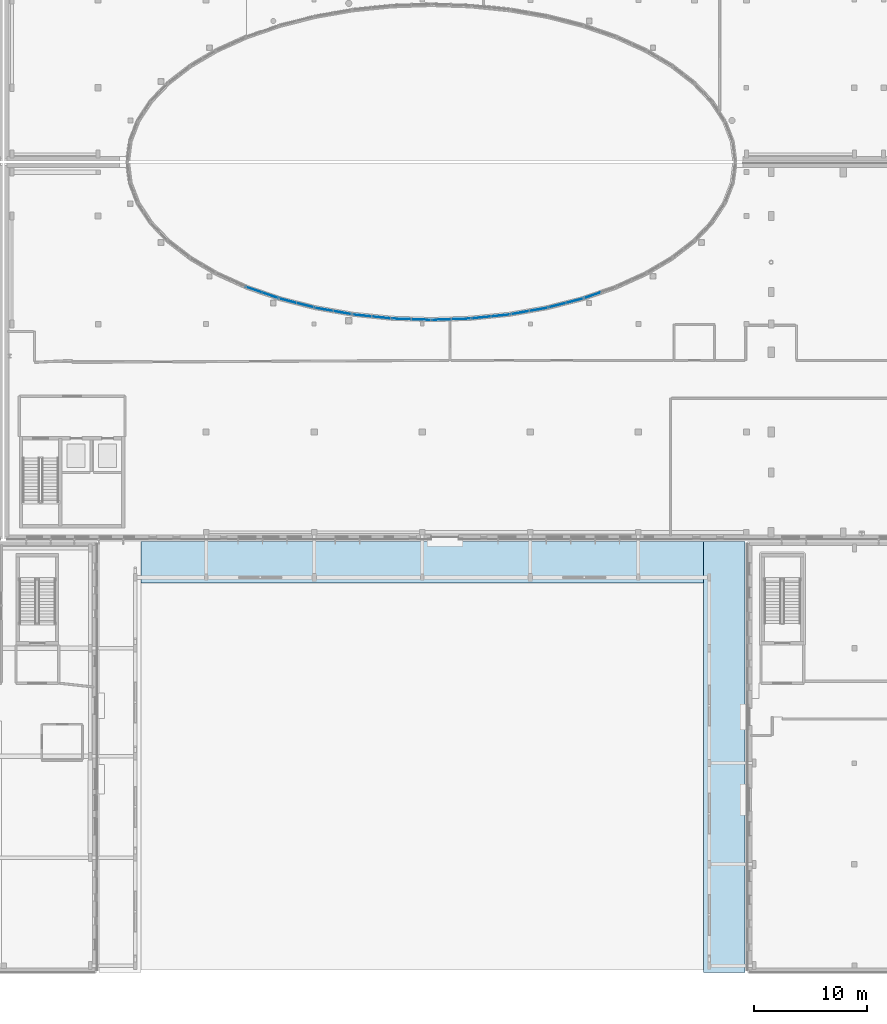
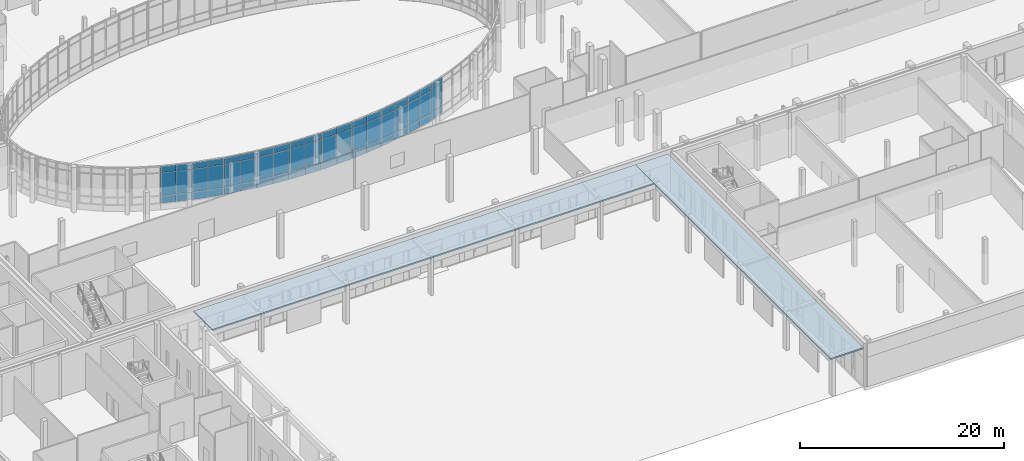
# One storey, part 29 of 84: 57 plates, 2 slabs, 10 elements without a shape of their own.
"""IFC4 building model written with IfcOpenShell, lengths in metres."""

from ifc_helpers import new_model, si_unit, direction, frame, origin, origin_2d, place, context, subcontext, project, spatial, polyline, rectangle, outline, extrude, material, layer, layer_set, type_object, element, aggregate, save


model = new_model("IFC4")

# Units and contexts
model_context = context("Model", 3, precision=1e-05, world=origin(), true_north=direction((0.0, 1.0)))
body_context = subcontext(model_context, "Body", "Model", "MODEL_VIEW")
ifc_project = project(units=[si_unit("LENGTHUNIT", "METRE"), si_unit("AREAUNIT", "SQUARE_METRE"), si_unit("VOLUMEUNIT", "CUBIC_METRE"), si_unit("PLANEANGLEUNIT", "RADIAN"), si_unit("MASSUNIT", "GRAM", prefix="KILO")], contexts=[model_context])

# Site, building, storey
site_placement = place(None, origin())
site = spatial("IfcSite", under=ifc_project, at=site_placement, CompositionType="ELEMENT")
building_placement = place(site_placement, origin())
building = spatial("IfcBuilding", under=site, at=building_placement, Name="Mzevani Central Library", CompositionType="ELEMENT")
storey_placement = place(building_placement, origin())
storey = spatial("IfcBuildingStorey", under=building, at=storey_placement, Name="L00", CompositionType="ELEMENT", Elevation=0.0)

# Curtain wall, plates
ifc_material_1 = material(Name="Thermally broken aluminium and Low-E triple glazing", Category="aluminium")
curtain_wall_type_1 = type_object("IfcCurtainWallType", Name="Elliptical Court Unitised Curtain Wall", PredefinedType="NOTDEFINED", material=ifc_material_1)
curtain_wall_1_placement = place(storey_placement, origin())
curtain_wall_1 = element("IfcCurtainWall", 1, at=curtain_wall_1_placement, inside=storey, type_object=curtain_wall_type_1, Name="L00 Elliptical Court Curtain Wall 32", PredefinedType="NOTDEFINED")
ifc_material_2 = material(Name="Thermally broken aluminium AW-6060", Category="aluminium")
ifc_layer_1 = layer(ifc_material_2, 0.0419921875, Name="CW Insulated Spandrel Panel 42")
ifc_layer_set_1 = layer_set([ifc_layer_1], Name="Thermally broken aluminium AW-6060")
plate_type_1 = type_object("IfcPlateType", Name="CW Insulated Spandrel Panel 42", PredefinedType="CURTAIN_PANEL", material=ifc_layer_set_1)
plate_1_placement = place(storey_placement, frame((68.23974609375, 64.65673828125, 0.719970703125), z_axis=(0.0, 0.0, 1.0), x_axis=(0.945503232512, -0.325612710609, 0.0)))
plate_1 = element("IfcPlate", 2, at=plate_1_placement, type_object=plate_type_1, Name="L00 Elliptical Court Curtain Wall 32 Spandrel Panel 1", PredefinedType="CURTAIN_PANEL", context=body_context, shape_type="SweptSolid", body=[
    extrude(rectangle(XDim=1.54150390625, YDim=0.0419921875, at=origin_2d()), origin(), (0.0, 0.0, 1.0), 0.89990234375),
])
plate_2_placement = place(storey_placement, frame((69.697021484375, 64.15478515625, 0.719970703125), z_axis=(0.0, 0.0, 1.0), x_axis=(0.945503232512, -0.325612710609, 0.0)))
plate_2 = element("IfcPlate", 3, at=plate_2_placement, type_object=plate_type_1, Name="L00 Elliptical Court Curtain Wall 32 Spandrel Panel 4", PredefinedType="CURTAIN_PANEL", context=body_context, shape_type="SweptSolid", body=[
    extrude(rectangle(XDim=1.54150390625, YDim=0.0419921875, at=origin_2d()), origin(), (0.0, 0.0, 1.0), 0.89990234375),
])

curtain_wall_2_placement = place(storey_placement, origin())
curtain_wall_2 = element("IfcCurtainWall", 4, at=curtain_wall_2_placement, inside=storey, type_object=curtain_wall_type_1, Name="L00 Elliptical Court Curtain Wall 33", PredefinedType="NOTDEFINED")
plate_3_placement = place(storey_placement, frame((71.23388671875, 63.679443359375, 0.719970703125), z_axis=(0.0, 0.0, 1.0), x_axis=(0.969186643336, -0.246327526638, 0.0)))
plate_3 = element("IfcPlate", 5, at=plate_3_placement, type_object=plate_type_1, Name="L00 Elliptical Court Curtain Wall 33 Spandrel Panel 1", PredefinedType="CURTAIN_PANEL", context=body_context, shape_type="SweptSolid", body=[
    extrude(rectangle(XDim=1.6220703125, YDim=0.0419921875, at=origin_2d()), origin(), (0.0, 0.0, 1.0), 0.89990234375),
])
plate_4_placement = place(storey_placement, frame((72.805908203125, 63.27978515625, 0.719970703125), z_axis=(0.0, 0.0, 1.0), x_axis=(0.969186643336, -0.246327526638, 0.0)))
plate_4 = element("IfcPlate", 6, at=plate_4_placement, type_object=plate_type_1, Name="L00 Elliptical Court Curtain Wall 33 Spandrel Panel 4", PredefinedType="CURTAIN_PANEL", context=body_context, shape_type="SweptSolid", body=[
    extrude(rectangle(XDim=1.6220703125, YDim=0.0419921875, at=origin_2d()), origin(), (0.0, 0.0, 1.0), 0.89990234375),
])

curtain_wall_type_2 = type_object("IfcCurtainWallType", Name="Reading Hall Northlight Curtain Wall", PredefinedType="NOTDEFINED", material=ifc_material_1)
curtain_wall_3_placement = place(storey_placement, origin())
curtain_wall_3 = element("IfcCurtainWall", 7, at=curtain_wall_3_placement, inside=storey, type_object=curtain_wall_type_2, Name="L00 Elliptical Court Curtain Wall 34", PredefinedType="NOTDEFINED")
plate_5_placement = place(storey_placement, frame((74.452880859375, 62.91015625, 0.719970703125), z_axis=(0.0, 0.0, 1.0), x_axis=(0.985036019044, -0.172348603667, 0.0)))
plate_5 = element("IfcPlate", 8, at=plate_5_placement, type_object=plate_type_1, Name="L00 Elliptical Court Curtain Wall 34 Spandrel Panel 1", PredefinedType="CURTAIN_PANEL", context=body_context, shape_type="SweptSolid", body=[
    extrude(rectangle(XDim=1.68505859375, YDim=0.0419921875, at=origin_2d()), origin(), (0.0, 0.0, 1.0), 0.89990234375),
])
plate_6_placement = place(storey_placement, frame((76.11279296875, 62.619873046875, 0.719970703125), z_axis=(0.0, 0.0, 1.0), x_axis=(0.985036019044, -0.172348603667, 0.0)))
plate_6 = element("IfcPlate", 9, at=plate_6_placement, type_object=plate_type_1, Name="L00 Elliptical Court Curtain Wall 34 Spandrel Panel 4", PredefinedType="CURTAIN_PANEL", context=body_context, shape_type="SweptSolid", body=[
    extrude(rectangle(XDim=1.68505859375, YDim=0.0419921875, at=origin_2d()), origin(), (0.0, 0.0, 1.0), 0.89990234375),
])

curtain_wall_4_placement = place(storey_placement, origin())
curtain_wall_4 = element("IfcCurtainWall", 10, at=curtain_wall_4_placement, inside=storey, type_object=curtain_wall_type_1, Name="L00 Elliptical Court Curtain Wall 35", PredefinedType="NOTDEFINED")
plate_7_placement = place(storey_placement, frame((77.843994140625, 62.364990234375, 0.719970703125), z_axis=(0.0, 0.0, 1.0), x_axis=(0.994785735696, -0.101986960228, 0.0)))
plate_7 = element("IfcPlate", 11, at=plate_7_placement, type_object=plate_type_1, Name="L00 Elliptical Court Curtain Wall 35 Spandrel Panel 1", PredefinedType="CURTAIN_PANEL", context=body_context, shape_type="SweptSolid", body=[
    extrude(rectangle(XDim=1.728271484375, YDim=0.0419921875, at=origin_2d()), origin(), (0.0, 0.0, 1.0), 0.89990234375),
])
plate_8_placement = place(storey_placement, frame((79.563232421875, 62.188720703125, 0.719970703125), z_axis=(0.0, 0.0, 1.0), x_axis=(0.994785735696, -0.101986960228, 0.0)))
plate_8 = element("IfcPlate", 12, at=plate_8_placement, type_object=plate_type_1, Name="L00 Elliptical Court Curtain Wall 35 Spandrel Panel 4", PredefinedType="CURTAIN_PANEL", context=body_context, shape_type="SweptSolid", body=[
    extrude(rectangle(XDim=1.728271484375, YDim=0.0419921875, at=origin_2d()), origin(), (0.0, 0.0, 1.0), 0.89990234375),
])

curtain_wall_5_placement = place(storey_placement, origin())
curtain_wall_5 = element("IfcCurtainWall", 13, at=curtain_wall_5_placement, inside=storey, type_object=curtain_wall_type_1, Name="L00 Elliptical Court Curtain Wall 36", PredefinedType="NOTDEFINED")
plate_9_placement = place(storey_placement, frame((81.3486328125, 62.05810546875, 0.719970703125), z_axis=(0.0, 0.0, 1.0), x_axis=(0.999429599311, -0.03377093456, 0.0)))
plate_9 = element("IfcPlate", 14, at=plate_9_placement, type_object=plate_type_1, Name="L00 Elliptical Court Curtain Wall 36 Spandrel Panel 1", PredefinedType="CURTAIN_PANEL", context=body_context, shape_type="SweptSolid", body=[
    extrude(rectangle(XDim=1.75, YDim=0.0419921875, at=origin_2d()), origin(), (0.0, 0.0, 1.0), 0.89990234375),
])
plate_10_placement = place(storey_placement, frame((83.09765625, 61.9990234375, 0.719970703125), z_axis=(0.0, 0.0, 1.0), x_axis=(0.999429599311, -0.03377093456, 0.0)))
plate_10 = element("IfcPlate", 15, at=plate_10_placement, type_object=plate_type_1, Name="L00 Elliptical Court Curtain Wall 36 Spandrel Panel 4", PredefinedType="CURTAIN_PANEL", context=body_context, shape_type="SweptSolid", body=[
    extrude(rectangle(XDim=1.75, YDim=0.0419921875, at=origin_2d()), origin(), (0.0, 0.0, 1.0), 0.89990234375),
])

curtain_wall_6_placement = place(storey_placement, origin())
curtain_wall_6 = element("IfcCurtainWall", 16, at=curtain_wall_6_placement, inside=storey, type_object=curtain_wall_type_2, Name="L00 Elliptical Court Curtain Wall 37", PredefinedType="NOTDEFINED")
plate_11_placement = place(storey_placement, frame((84.90234375, 61.9990234375, 0.719970703125), z_axis=(0.0, 0.0, 1.0), x_axis=(0.999429599311, 0.03377093456, 0.0)))
plate_11 = element("IfcPlate", 17, at=plate_11_placement, type_object=plate_type_1, Name="L00 Elliptical Court Curtain Wall 37 Spandrel Panel 1", PredefinedType="CURTAIN_PANEL", context=body_context, shape_type="SweptSolid", body=[
    extrude(rectangle(XDim=1.75, YDim=0.0419921875, at=origin_2d()), origin(), (0.0, 0.0, 1.0), 0.89990234375),
])
plate_12_placement = place(storey_placement, frame((86.6513671875, 62.05810546875, 0.719970703125), z_axis=(0.0, 0.0, 1.0), x_axis=(0.999429599311, 0.03377093456, 0.0)))
plate_12 = element("IfcPlate", 18, at=plate_12_placement, type_object=plate_type_1, Name="L00 Elliptical Court Curtain Wall 37 Spandrel Panel 4", PredefinedType="CURTAIN_PANEL", context=body_context, shape_type="SweptSolid", body=[
    extrude(rectangle(XDim=1.75, YDim=0.0419921875, at=origin_2d()), origin(), (0.0, 0.0, 1.0), 0.89990234375),
])

curtain_wall_7_placement = place(storey_placement, origin())
curtain_wall_7 = element("IfcCurtainWall", 19, at=curtain_wall_7_placement, inside=storey, type_object=curtain_wall_type_1, Name="L00 Elliptical Court Curtain Wall 38", PredefinedType="NOTDEFINED")
plate_13_placement = place(storey_placement, frame((88.436767578125, 62.188720703125, 0.719970703125), z_axis=(0.0, 0.0, 1.0), x_axis=(0.994785735696, 0.101986960228, 0.0)))
plate_13 = element("IfcPlate", 20, at=plate_13_placement, type_object=plate_type_1, Name="L00 Elliptical Court Curtain Wall 38 Spandrel Panel 1", PredefinedType="CURTAIN_PANEL", context=body_context, shape_type="SweptSolid", body=[
    extrude(rectangle(XDim=1.728271484375, YDim=0.0419921875, at=origin_2d()), origin(), (0.0, 0.0, 1.0), 0.89990234375),
])
plate_14_placement = place(storey_placement, frame((90.156005859375, 62.364990234375, 0.719970703125), z_axis=(0.0, 0.0, 1.0), x_axis=(0.994785735696, 0.101986960228, 0.0)))
plate_14 = element("IfcPlate", 21, at=plate_14_placement, type_object=plate_type_1, Name="L00 Elliptical Court Curtain Wall 38 Spandrel Panel 4", PredefinedType="CURTAIN_PANEL", context=body_context, shape_type="SweptSolid", body=[
    extrude(rectangle(XDim=1.728271484375, YDim=0.0419921875, at=origin_2d()), origin(), (0.0, 0.0, 1.0), 0.89990234375),
])

curtain_wall_8_placement = place(storey_placement, origin())
curtain_wall_8 = element("IfcCurtainWall", 22, at=curtain_wall_8_placement, inside=storey, type_object=curtain_wall_type_1, Name="L00 Elliptical Court Curtain Wall 39", PredefinedType="NOTDEFINED")
plate_15_placement = place(storey_placement, frame((91.88720703125, 62.619873046875, 0.719970703125), z_axis=(0.0, 0.0, 1.0), x_axis=(0.985036019044, 0.172348603667, 0.0)))
plate_15 = element("IfcPlate", 23, at=plate_15_placement, type_object=plate_type_1, Name="L00 Elliptical Court Curtain Wall 39 Spandrel Panel 1", PredefinedType="CURTAIN_PANEL", context=body_context, shape_type="SweptSolid", body=[
    extrude(rectangle(XDim=1.68505859375, YDim=0.0419921875, at=origin_2d()), origin(), (0.0, 0.0, 1.0), 0.89990234375),
])
plate_16_placement = place(storey_placement, frame((93.547119140625, 62.91015625, 0.719970703125), z_axis=(0.0, 0.0, 1.0), x_axis=(0.985036019044, 0.172348603667, 0.0)))
plate_16 = element("IfcPlate", 24, at=plate_16_placement, type_object=plate_type_1, Name="L00 Elliptical Court Curtain Wall 39 Spandrel Panel 4", PredefinedType="CURTAIN_PANEL", context=body_context, shape_type="SweptSolid", body=[
    extrude(rectangle(XDim=1.68505859375, YDim=0.0419921875, at=origin_2d()), origin(), (0.0, 0.0, 1.0), 0.89990234375),
])

curtain_wall_9_placement = place(storey_placement, origin())
curtain_wall_9 = element("IfcCurtainWall", 25, at=curtain_wall_9_placement, inside=storey, type_object=curtain_wall_type_2, Name="L00 Elliptical Court Curtain Wall 40", PredefinedType="NOTDEFINED")
plate_17_placement = place(storey_placement, frame((95.194091796875, 63.27978515625, 0.719970703125), z_axis=(0.0, 0.0, 1.0), x_axis=(0.969186643336, 0.246327526638, 0.0)))
plate_17 = element("IfcPlate", 26, at=plate_17_placement, type_object=plate_type_1, Name="L00 Elliptical Court Curtain Wall 40 Spandrel Panel 1", PredefinedType="CURTAIN_PANEL", context=body_context, shape_type="SweptSolid", body=[
    extrude(rectangle(XDim=1.6220703125, YDim=0.0419921875, at=origin_2d()), origin(), (0.0, 0.0, 1.0), 0.89990234375),
])
plate_18_placement = place(storey_placement, frame((96.76611328125, 63.679443359375, 0.719970703125), z_axis=(0.0, 0.0, 1.0), x_axis=(0.969186643336, 0.246327526638, 0.0)))
plate_18 = element("IfcPlate", 27, at=plate_18_placement, type_object=plate_type_1, Name="L00 Elliptical Court Curtain Wall 40 Spandrel Panel 4", PredefinedType="CURTAIN_PANEL", context=body_context, shape_type="SweptSolid", body=[
    extrude(rectangle(XDim=1.6220703125, YDim=0.0419921875, at=origin_2d()), origin(), (0.0, 0.0, 1.0), 0.89990234375),
])

# Curtain wall, plate
curtain_wall_10_placement = place(storey_placement, origin())
curtain_wall_10 = element("IfcCurtainWall", 28, at=curtain_wall_10_placement, inside=storey, type_object=curtain_wall_type_1, Name="L00 Elliptical Court Curtain Wall 41", PredefinedType="NOTDEFINED")
plate_19_placement = place(storey_placement, frame((98.302978515625, 64.15478515625, 0.719970703125), z_axis=(0.0, 0.0, 1.0), x_axis=(0.945503232512, 0.325612710609, 0.0)))
plate_19 = element("IfcPlate", 29, at=plate_19_placement, type_object=plate_type_1, Name="L00 Elliptical Court Curtain Wall 41 Spandrel Panel 1", PredefinedType="CURTAIN_PANEL", context=body_context, shape_type="SweptSolid", body=[
    extrude(rectangle(XDim=1.54150390625, YDim=0.0419921875, at=origin_2d()), origin(), (0.0, 0.0, 1.0), 0.89990234375),
])

# Plate
ifc_material_3 = material(Name="Low-E triple glazing glass", Category="glass")
ifc_layer_2 = layer(ifc_material_3, 0.028076171875, Name="CW Triple Glazed Vision Panel 28")
ifc_layer_set_2 = layer_set([ifc_layer_2], Name="Low-E triple glazing glass")
plate_type_2 = type_object("IfcPlateType", Name="CW Triple Glazed Vision Panel 28", PredefinedType="CURTAIN_PANEL", material=ifc_layer_set_2)
plate_20_placement = place(storey_placement, frame((68.23974609375, 64.65673828125, 1.6201171875), z_axis=(0.0, 0.0, 1.0), x_axis=(0.945503232512, -0.325612710609, 0.0)))
plate_20 = element("IfcPlate", 30, at=plate_20_placement, type_object=plate_type_2, Name="L00 Elliptical Court Curtain Wall 32 Vision Panel 2", PredefinedType="CURTAIN_PANEL", context=body_context, shape_type="SweptSolid", body=[
    extrude(rectangle(XDim=1.54150390625, YDim=0.028076171875, at=origin_2d()), origin(), (0.0, 0.0, 1.0), 2.75),
])

plate_21_placement = place(storey_placement, frame((68.23974609375, 64.65673828125, 4.3701171875), z_axis=(0.0, 0.0, 1.0), x_axis=(0.945503232512, -0.325612710609, 0.0)))
plate_21 = element("IfcPlate", 31, at=plate_21_placement, type_object=plate_type_2, Name="L00 Elliptical Court Curtain Wall 32 Vision Panel 3", PredefinedType="CURTAIN_PANEL", context=body_context, shape_type="SweptSolid", body=[
    extrude(rectangle(XDim=1.54150390625, YDim=0.028076171875, at=origin_2d()), origin(), (0.0, 0.0, 1.0), 0.75),
])

plate_22_placement = place(storey_placement, frame((69.697021484375, 64.15478515625, 1.6201171875), z_axis=(0.0, 0.0, 1.0), x_axis=(0.945503232512, -0.325612710609, 0.0)))
plate_22 = element("IfcPlate", 32, at=plate_22_placement, type_object=plate_type_2, Name="L00 Elliptical Court Curtain Wall 32 Vision Panel 5", PredefinedType="CURTAIN_PANEL", context=body_context, shape_type="SweptSolid", body=[
    extrude(rectangle(XDim=1.54150390625, YDim=0.028076171875, at=origin_2d()), origin(), (0.0, 0.0, 1.0), 2.75),
])

plate_23_placement = place(storey_placement, frame((69.697021484375, 64.15478515625, 4.3701171875), z_axis=(0.0, 0.0, 1.0), x_axis=(0.945503232512, -0.325612710609, 0.0)))
plate_23 = element("IfcPlate", 33, at=plate_23_placement, type_object=plate_type_2, Name="L00 Elliptical Court Curtain Wall 32 Vision Panel 6", PredefinedType="CURTAIN_PANEL", context=body_context, shape_type="SweptSolid", body=[
    extrude(rectangle(XDim=1.54150390625, YDim=0.028076171875, at=origin_2d()), origin(), (0.0, 0.0, 1.0), 0.75),
])

aggregate(curtain_wall_1, [plate_1, plate_20, plate_21, plate_2, plate_22, plate_23])

plate_24_placement = place(storey_placement, frame((71.23388671875, 63.679443359375, 1.6201171875), z_axis=(0.0, 0.0, 1.0), x_axis=(0.969186643336, -0.246327526638, 0.0)))
plate_24 = element("IfcPlate", 34, at=plate_24_placement, type_object=plate_type_2, Name="L00 Elliptical Court Curtain Wall 33 Vision Panel 2", PredefinedType="CURTAIN_PANEL", context=body_context, shape_type="SweptSolid", body=[
    extrude(rectangle(XDim=1.6220703125, YDim=0.028076171875, at=origin_2d()), origin(), (0.0, 0.0, 1.0), 2.75),
])

plate_25_placement = place(storey_placement, frame((71.23388671875, 63.679443359375, 4.3701171875), z_axis=(0.0, 0.0, 1.0), x_axis=(0.969186643336, -0.246327526638, 0.0)))
plate_25 = element("IfcPlate", 35, at=plate_25_placement, type_object=plate_type_2, Name="L00 Elliptical Court Curtain Wall 33 Vision Panel 3", PredefinedType="CURTAIN_PANEL", context=body_context, shape_type="SweptSolid", body=[
    extrude(rectangle(XDim=1.6220703125, YDim=0.028076171875, at=origin_2d()), origin(), (0.0, 0.0, 1.0), 0.75),
])

plate_26_placement = place(storey_placement, frame((72.805908203125, 63.27978515625, 1.6201171875), z_axis=(0.0, 0.0, 1.0), x_axis=(0.969186643336, -0.246327526638, 0.0)))
plate_26 = element("IfcPlate", 36, at=plate_26_placement, type_object=plate_type_2, Name="L00 Elliptical Court Curtain Wall 33 Vision Panel 5", PredefinedType="CURTAIN_PANEL", context=body_context, shape_type="SweptSolid", body=[
    extrude(rectangle(XDim=1.6220703125, YDim=0.028076171875, at=origin_2d()), origin(), (0.0, 0.0, 1.0), 2.75),
])

plate_27_placement = place(storey_placement, frame((72.805908203125, 63.27978515625, 4.3701171875), z_axis=(0.0, 0.0, 1.0), x_axis=(0.969186643336, -0.246327526638, 0.0)))
plate_27 = element("IfcPlate", 37, at=plate_27_placement, type_object=plate_type_2, Name="L00 Elliptical Court Curtain Wall 33 Vision Panel 6", PredefinedType="CURTAIN_PANEL", context=body_context, shape_type="SweptSolid", body=[
    extrude(rectangle(XDim=1.6220703125, YDim=0.028076171875, at=origin_2d()), origin(), (0.0, 0.0, 1.0), 0.75),
])

aggregate(curtain_wall_2, [plate_3, plate_24, plate_25, plate_4, plate_26, plate_27])

plate_28_placement = place(storey_placement, frame((74.452880859375, 62.91015625, 1.6201171875), z_axis=(0.0, 0.0, 1.0), x_axis=(0.985036019044, -0.172348603667, 0.0)))
plate_28 = element("IfcPlate", 38, at=plate_28_placement, type_object=plate_type_2, Name="L00 Elliptical Court Curtain Wall 34 Vision Panel 2", PredefinedType="CURTAIN_PANEL", context=body_context, shape_type="SweptSolid", body=[
    extrude(rectangle(XDim=1.68505859375, YDim=0.028076171875, at=origin_2d()), origin(), (0.0, 0.0, 1.0), 2.75),
])

plate_29_placement = place(storey_placement, frame((74.452880859375, 62.91015625, 4.3701171875), z_axis=(0.0, 0.0, 1.0), x_axis=(0.985036019044, -0.172348603667, 0.0)))
plate_29 = element("IfcPlate", 39, at=plate_29_placement, type_object=plate_type_2, Name="L00 Elliptical Court Curtain Wall 34 Vision Panel 3", PredefinedType="CURTAIN_PANEL", context=body_context, shape_type="SweptSolid", body=[
    extrude(rectangle(XDim=1.68505859375, YDim=0.028076171875, at=origin_2d()), origin(), (0.0, 0.0, 1.0), 0.75),
])

plate_30_placement = place(storey_placement, frame((76.11279296875, 62.619873046875, 1.6201171875), z_axis=(0.0, 0.0, 1.0), x_axis=(0.985036019044, -0.172348603667, 0.0)))
plate_30 = element("IfcPlate", 40, at=plate_30_placement, type_object=plate_type_2, Name="L00 Elliptical Court Curtain Wall 34 Vision Panel 5", PredefinedType="CURTAIN_PANEL", context=body_context, shape_type="SweptSolid", body=[
    extrude(rectangle(XDim=1.68505859375, YDim=0.028076171875, at=origin_2d()), origin(), (0.0, 0.0, 1.0), 2.75),
])

plate_31_placement = place(storey_placement, frame((76.11279296875, 62.619873046875, 4.3701171875), z_axis=(0.0, 0.0, 1.0), x_axis=(0.985036019044, -0.172348603667, 0.0)))
plate_31 = element("IfcPlate", 41, at=plate_31_placement, type_object=plate_type_2, Name="L00 Elliptical Court Curtain Wall 34 Vision Panel 6", PredefinedType="CURTAIN_PANEL", context=body_context, shape_type="SweptSolid", body=[
    extrude(rectangle(XDim=1.68505859375, YDim=0.028076171875, at=origin_2d()), origin(), (0.0, 0.0, 1.0), 0.75),
])

aggregate(curtain_wall_3, [plate_5, plate_28, plate_29, plate_6, plate_30, plate_31])

plate_32_placement = place(storey_placement, frame((77.843994140625, 62.364990234375, 1.6201171875), z_axis=(0.0, 0.0, 1.0), x_axis=(0.994785735696, -0.101986960228, 0.0)))
plate_32 = element("IfcPlate", 42, at=plate_32_placement, type_object=plate_type_2, Name="L00 Elliptical Court Curtain Wall 35 Vision Panel 2", PredefinedType="CURTAIN_PANEL", context=body_context, shape_type="SweptSolid", body=[
    extrude(rectangle(XDim=1.728271484375, YDim=0.028076171875, at=origin_2d()), origin(), (0.0, 0.0, 1.0), 2.75),
])

plate_33_placement = place(storey_placement, frame((77.843994140625, 62.364990234375, 4.3701171875), z_axis=(0.0, 0.0, 1.0), x_axis=(0.994785735696, -0.101986960228, 0.0)))
plate_33 = element("IfcPlate", 43, at=plate_33_placement, type_object=plate_type_2, Name="L00 Elliptical Court Curtain Wall 35 Vision Panel 3", PredefinedType="CURTAIN_PANEL", context=body_context, shape_type="SweptSolid", body=[
    extrude(rectangle(XDim=1.728271484375, YDim=0.028076171875, at=origin_2d()), origin(), (0.0, 0.0, 1.0), 0.75),
])

plate_34_placement = place(storey_placement, frame((79.563232421875, 62.188720703125, 1.6201171875), z_axis=(0.0, 0.0, 1.0), x_axis=(0.994785735696, -0.101986960228, 0.0)))
plate_34 = element("IfcPlate", 44, at=plate_34_placement, type_object=plate_type_2, Name="L00 Elliptical Court Curtain Wall 35 Vision Panel 5", PredefinedType="CURTAIN_PANEL", context=body_context, shape_type="SweptSolid", body=[
    extrude(rectangle(XDim=1.728271484375, YDim=0.028076171875, at=origin_2d()), origin(), (0.0, 0.0, 1.0), 2.75),
])

plate_35_placement = place(storey_placement, frame((79.563232421875, 62.188720703125, 4.3701171875), z_axis=(0.0, 0.0, 1.0), x_axis=(0.994785735696, -0.101986960228, 0.0)))
plate_35 = element("IfcPlate", 45, at=plate_35_placement, type_object=plate_type_2, Name="L00 Elliptical Court Curtain Wall 35 Vision Panel 6", PredefinedType="CURTAIN_PANEL", context=body_context, shape_type="SweptSolid", body=[
    extrude(rectangle(XDim=1.728271484375, YDim=0.028076171875, at=origin_2d()), origin(), (0.0, 0.0, 1.0), 0.75),
])

aggregate(curtain_wall_4, [plate_7, plate_32, plate_33, plate_8, plate_34, plate_35])

plate_36_placement = place(storey_placement, frame((81.3486328125, 62.05810546875, 1.6201171875), z_axis=(0.0, 0.0, 1.0), x_axis=(0.999429599311, -0.03377093456, 0.0)))
plate_36 = element("IfcPlate", 46, at=plate_36_placement, type_object=plate_type_2, Name="L00 Elliptical Court Curtain Wall 36 Vision Panel 2", PredefinedType="CURTAIN_PANEL", context=body_context, shape_type="SweptSolid", body=[
    extrude(rectangle(XDim=1.75, YDim=0.028076171875, at=origin_2d()), origin(), (0.0, 0.0, 1.0), 2.75),
])

plate_37_placement = place(storey_placement, frame((81.3486328125, 62.05810546875, 4.3701171875), z_axis=(0.0, 0.0, 1.0), x_axis=(0.999429599311, -0.03377093456, 0.0)))
plate_37 = element("IfcPlate", 47, at=plate_37_placement, type_object=plate_type_2, Name="L00 Elliptical Court Curtain Wall 36 Vision Panel 3", PredefinedType="CURTAIN_PANEL", context=body_context, shape_type="SweptSolid", body=[
    extrude(rectangle(XDim=1.75, YDim=0.028076171875, at=origin_2d()), origin(), (0.0, 0.0, 1.0), 0.75),
])

plate_38_placement = place(storey_placement, frame((83.09765625, 61.9990234375, 1.6201171875), z_axis=(0.0, 0.0, 1.0), x_axis=(0.999429599311, -0.03377093456, 0.0)))
plate_38 = element("IfcPlate", 48, at=plate_38_placement, type_object=plate_type_2, Name="L00 Elliptical Court Curtain Wall 36 Vision Panel 5", PredefinedType="CURTAIN_PANEL", context=body_context, shape_type="SweptSolid", body=[
    extrude(rectangle(XDim=1.75, YDim=0.028076171875, at=origin_2d()), origin(), (0.0, 0.0, 1.0), 2.75),
])

plate_39_placement = place(storey_placement, frame((83.09765625, 61.9990234375, 4.3701171875), z_axis=(0.0, 0.0, 1.0), x_axis=(0.999429599311, -0.03377093456, 0.0)))
plate_39 = element("IfcPlate", 49, at=plate_39_placement, type_object=plate_type_2, Name="L00 Elliptical Court Curtain Wall 36 Vision Panel 6", PredefinedType="CURTAIN_PANEL", context=body_context, shape_type="SweptSolid", body=[
    extrude(rectangle(XDim=1.75, YDim=0.028076171875, at=origin_2d()), origin(), (0.0, 0.0, 1.0), 0.75),
])

aggregate(curtain_wall_5, [plate_9, plate_36, plate_37, plate_10, plate_38, plate_39])

plate_40_placement = place(storey_placement, frame((84.90234375, 61.9990234375, 1.6201171875), z_axis=(0.0, 0.0, 1.0), x_axis=(0.999429599311, 0.03377093456, 0.0)))
plate_40 = element("IfcPlate", 50, at=plate_40_placement, type_object=plate_type_2, Name="L00 Elliptical Court Curtain Wall 37 Vision Panel 2", PredefinedType="CURTAIN_PANEL", context=body_context, shape_type="SweptSolid", body=[
    extrude(rectangle(XDim=1.75, YDim=0.028076171875, at=origin_2d()), origin(), (0.0, 0.0, 1.0), 2.75),
])

plate_41_placement = place(storey_placement, frame((84.90234375, 61.9990234375, 4.3701171875), z_axis=(0.0, 0.0, 1.0), x_axis=(0.999429599311, 0.03377093456, 0.0)))
plate_41 = element("IfcPlate", 51, at=plate_41_placement, type_object=plate_type_2, Name="L00 Elliptical Court Curtain Wall 37 Vision Panel 3", PredefinedType="CURTAIN_PANEL", context=body_context, shape_type="SweptSolid", body=[
    extrude(rectangle(XDim=1.75, YDim=0.028076171875, at=origin_2d()), origin(), (0.0, 0.0, 1.0), 0.75),
])

plate_42_placement = place(storey_placement, frame((86.6513671875, 62.05810546875, 1.6201171875), z_axis=(0.0, 0.0, 1.0), x_axis=(0.999429599311, 0.03377093456, 0.0)))
plate_42 = element("IfcPlate", 52, at=plate_42_placement, type_object=plate_type_2, Name="L00 Elliptical Court Curtain Wall 37 Vision Panel 5", PredefinedType="CURTAIN_PANEL", context=body_context, shape_type="SweptSolid", body=[
    extrude(rectangle(XDim=1.75, YDim=0.028076171875, at=origin_2d()), origin(), (0.0, 0.0, 1.0), 2.75),
])

plate_43_placement = place(storey_placement, frame((86.6513671875, 62.05810546875, 4.3701171875), z_axis=(0.0, 0.0, 1.0), x_axis=(0.999429599311, 0.03377093456, 0.0)))
plate_43 = element("IfcPlate", 53, at=plate_43_placement, type_object=plate_type_2, Name="L00 Elliptical Court Curtain Wall 37 Vision Panel 6", PredefinedType="CURTAIN_PANEL", context=body_context, shape_type="SweptSolid", body=[
    extrude(rectangle(XDim=1.75, YDim=0.028076171875, at=origin_2d()), origin(), (0.0, 0.0, 1.0), 0.75),
])

aggregate(curtain_wall_6, [plate_11, plate_40, plate_41, plate_12, plate_42, plate_43])

plate_44_placement = place(storey_placement, frame((88.436767578125, 62.188720703125, 1.6201171875), z_axis=(0.0, 0.0, 1.0), x_axis=(0.994785735696, 0.101986960228, 0.0)))
plate_44 = element("IfcPlate", 54, at=plate_44_placement, type_object=plate_type_2, Name="L00 Elliptical Court Curtain Wall 38 Vision Panel 2", PredefinedType="CURTAIN_PANEL", context=body_context, shape_type="SweptSolid", body=[
    extrude(rectangle(XDim=1.728271484375, YDim=0.028076171875, at=origin_2d()), origin(), (0.0, 0.0, 1.0), 2.75),
])

plate_45_placement = place(storey_placement, frame((88.436767578125, 62.188720703125, 4.3701171875), z_axis=(0.0, 0.0, 1.0), x_axis=(0.994785735696, 0.101986960228, 0.0)))
plate_45 = element("IfcPlate", 55, at=plate_45_placement, type_object=plate_type_2, Name="L00 Elliptical Court Curtain Wall 38 Vision Panel 3", PredefinedType="CURTAIN_PANEL", context=body_context, shape_type="SweptSolid", body=[
    extrude(rectangle(XDim=1.728271484375, YDim=0.028076171875, at=origin_2d()), origin(), (0.0, 0.0, 1.0), 0.75),
])

plate_46_placement = place(storey_placement, frame((90.156005859375, 62.364990234375, 1.6201171875), z_axis=(0.0, 0.0, 1.0), x_axis=(0.994785735696, 0.101986960228, 0.0)))
plate_46 = element("IfcPlate", 56, at=plate_46_placement, type_object=plate_type_2, Name="L00 Elliptical Court Curtain Wall 38 Vision Panel 5", PredefinedType="CURTAIN_PANEL", context=body_context, shape_type="SweptSolid", body=[
    extrude(rectangle(XDim=1.728271484375, YDim=0.028076171875, at=origin_2d()), origin(), (0.0, 0.0, 1.0), 2.75),
])

plate_47_placement = place(storey_placement, frame((90.156005859375, 62.364990234375, 4.3701171875), z_axis=(0.0, 0.0, 1.0), x_axis=(0.994785735696, 0.101986960228, 0.0)))
plate_47 = element("IfcPlate", 57, at=plate_47_placement, type_object=plate_type_2, Name="L00 Elliptical Court Curtain Wall 38 Vision Panel 6", PredefinedType="CURTAIN_PANEL", context=body_context, shape_type="SweptSolid", body=[
    extrude(rectangle(XDim=1.728271484375, YDim=0.028076171875, at=origin_2d()), origin(), (0.0, 0.0, 1.0), 0.75),
])

aggregate(curtain_wall_7, [plate_13, plate_44, plate_45, plate_14, plate_46, plate_47])

plate_48_placement = place(storey_placement, frame((91.88720703125, 62.619873046875, 1.6201171875), z_axis=(0.0, 0.0, 1.0), x_axis=(0.985036019044, 0.172348603667, 0.0)))
plate_48 = element("IfcPlate", 58, at=plate_48_placement, type_object=plate_type_2, Name="L00 Elliptical Court Curtain Wall 39 Vision Panel 2", PredefinedType="CURTAIN_PANEL", context=body_context, shape_type="SweptSolid", body=[
    extrude(rectangle(XDim=1.68505859375, YDim=0.028076171875, at=origin_2d()), origin(), (0.0, 0.0, 1.0), 2.75),
])

plate_49_placement = place(storey_placement, frame((91.88720703125, 62.619873046875, 4.3701171875), z_axis=(0.0, 0.0, 1.0), x_axis=(0.985036019044, 0.172348603667, 0.0)))
plate_49 = element("IfcPlate", 59, at=plate_49_placement, type_object=plate_type_2, Name="L00 Elliptical Court Curtain Wall 39 Vision Panel 3", PredefinedType="CURTAIN_PANEL", context=body_context, shape_type="SweptSolid", body=[
    extrude(rectangle(XDim=1.68505859375, YDim=0.028076171875, at=origin_2d()), origin(), (0.0, 0.0, 1.0), 0.75),
])

plate_50_placement = place(storey_placement, frame((93.547119140625, 62.91015625, 1.6201171875), z_axis=(0.0, 0.0, 1.0), x_axis=(0.985036019044, 0.172348603667, 0.0)))
plate_50 = element("IfcPlate", 60, at=plate_50_placement, type_object=plate_type_2, Name="L00 Elliptical Court Curtain Wall 39 Vision Panel 5", PredefinedType="CURTAIN_PANEL", context=body_context, shape_type="SweptSolid", body=[
    extrude(rectangle(XDim=1.68505859375, YDim=0.028076171875, at=origin_2d()), origin(), (0.0, 0.0, 1.0), 2.75),
])

plate_51_placement = place(storey_placement, frame((93.547119140625, 62.91015625, 4.3701171875), z_axis=(0.0, 0.0, 1.0), x_axis=(0.985036019044, 0.172348603667, 0.0)))
plate_51 = element("IfcPlate", 61, at=plate_51_placement, type_object=plate_type_2, Name="L00 Elliptical Court Curtain Wall 39 Vision Panel 6", PredefinedType="CURTAIN_PANEL", context=body_context, shape_type="SweptSolid", body=[
    extrude(rectangle(XDim=1.68505859375, YDim=0.028076171875, at=origin_2d()), origin(), (0.0, 0.0, 1.0), 0.75),
])

aggregate(curtain_wall_8, [plate_15, plate_48, plate_49, plate_16, plate_50, plate_51])

plate_52_placement = place(storey_placement, frame((95.194091796875, 63.27978515625, 1.6201171875), z_axis=(0.0, 0.0, 1.0), x_axis=(0.969186643336, 0.246327526638, 0.0)))
plate_52 = element("IfcPlate", 62, at=plate_52_placement, type_object=plate_type_2, Name="L00 Elliptical Court Curtain Wall 40 Vision Panel 2", PredefinedType="CURTAIN_PANEL", context=body_context, shape_type="SweptSolid", body=[
    extrude(rectangle(XDim=1.6220703125, YDim=0.028076171875, at=origin_2d()), origin(), (0.0, 0.0, 1.0), 2.75),
])

plate_53_placement = place(storey_placement, frame((95.194091796875, 63.27978515625, 4.3701171875), z_axis=(0.0, 0.0, 1.0), x_axis=(0.969186643336, 0.246327526638, 0.0)))
plate_53 = element("IfcPlate", 63, at=plate_53_placement, type_object=plate_type_2, Name="L00 Elliptical Court Curtain Wall 40 Vision Panel 3", PredefinedType="CURTAIN_PANEL", context=body_context, shape_type="SweptSolid", body=[
    extrude(rectangle(XDim=1.6220703125, YDim=0.028076171875, at=origin_2d()), origin(), (0.0, 0.0, 1.0), 0.75),
])

plate_54_placement = place(storey_placement, frame((96.76611328125, 63.679443359375, 1.6201171875), z_axis=(0.0, 0.0, 1.0), x_axis=(0.969186643336, 0.246327526638, 0.0)))
plate_54 = element("IfcPlate", 64, at=plate_54_placement, type_object=plate_type_2, Name="L00 Elliptical Court Curtain Wall 40 Vision Panel 5", PredefinedType="CURTAIN_PANEL", context=body_context, shape_type="SweptSolid", body=[
    extrude(rectangle(XDim=1.6220703125, YDim=0.028076171875, at=origin_2d()), origin(), (0.0, 0.0, 1.0), 2.75),
])

plate_55_placement = place(storey_placement, frame((96.76611328125, 63.679443359375, 4.3701171875), z_axis=(0.0, 0.0, 1.0), x_axis=(0.969186643336, 0.246327526638, 0.0)))
plate_55 = element("IfcPlate", 65, at=plate_55_placement, type_object=plate_type_2, Name="L00 Elliptical Court Curtain Wall 40 Vision Panel 6", PredefinedType="CURTAIN_PANEL", context=body_context, shape_type="SweptSolid", body=[
    extrude(rectangle(XDim=1.6220703125, YDim=0.028076171875, at=origin_2d()), origin(), (0.0, 0.0, 1.0), 0.75),
])

aggregate(curtain_wall_9, [plate_17, plate_52, plate_53, plate_18, plate_54, plate_55])

plate_56_placement = place(storey_placement, frame((98.302978515625, 64.15478515625, 1.6201171875), z_axis=(0.0, 0.0, 1.0), x_axis=(0.945503232512, 0.325612710609, 0.0)))
plate_56 = element("IfcPlate", 66, at=plate_56_placement, type_object=plate_type_2, Name="L00 Elliptical Court Curtain Wall 41 Vision Panel 2", PredefinedType="CURTAIN_PANEL", context=body_context, shape_type="SweptSolid", body=[
    extrude(rectangle(XDim=1.54150390625, YDim=0.028076171875, at=origin_2d()), origin(), (0.0, 0.0, 1.0), 2.75),
])

plate_57_placement = place(storey_placement, frame((98.302978515625, 64.15478515625, 4.3701171875), z_axis=(0.0, 0.0, 1.0), x_axis=(0.945503232512, 0.325612710609, 0.0)))
plate_57 = element("IfcPlate", 67, at=plate_57_placement, type_object=plate_type_2, Name="L00 Elliptical Court Curtain Wall 41 Vision Panel 3", PredefinedType="CURTAIN_PANEL", context=body_context, shape_type="SweptSolid", body=[
    extrude(rectangle(XDim=1.54150390625, YDim=0.028076171875, at=origin_2d()), origin(), (0.0, 0.0, 1.0), 0.75),
])

aggregate(curtain_wall_10, [plate_19, plate_56, plate_57])

# Slabs
ifc_material_4 = material(Name="Precast concrete C40/50", Category="concrete")
ifc_layer_3 = layer(ifc_material_4, 0.159912109375, Name="Colonnade Shade Canopy Slab 160")
ifc_layer_set_3 = layer_set([ifc_layer_3], Name="Precast concrete C40/50")
slab_type = type_object("IfcSlabType", Name="Colonnade Shade Canopy Slab 160", PredefinedType="ROOF", material=ifc_layer_set_3)
slab_1_placement = place(storey_placement, frame((0.0, 0.0, 4.639892578125)))
element("IfcSlab", 68, at=slab_1_placement, inside=storey, type_object=slab_type, Name="L00 Mzevani Square COL-NORTH Canopy Slab", PredefinedType="ROOF", context=body_context, shape_type="SweptSolid", body=[
    extrude(outline(polyline([(108.199951171875, 38.60009765625), (58.199951171875, 38.60009765625), (58.199951171875, 42.300048828125), (108.199951171875, 42.300048828125), (108.199951171875, 38.60009765625)])), origin(), (0.0, 0.0, 1.0), 0.16015625),
])
slab_2_placement = place(storey_placement, frame((0.0, 0.0, 4.639892578125)))
element("IfcSlab", 69, at=slab_2_placement, inside=storey, type_object=slab_type, Name="L00 Mzevani Square COL-EAST Canopy Slab", PredefinedType="ROOF", context=body_context, shape_type="SweptSolid", body=[
    extrude(outline(polyline([(111.89990234375, 4.0), (108.199951171875, 4.0), (108.199951171875, 42.300048828125), (111.89990234375, 42.300048828125), (111.89990234375, 4.0)])), origin(), (0.0, 0.0, 1.0), 0.16015625),
])

save(model, "model.ifc")
